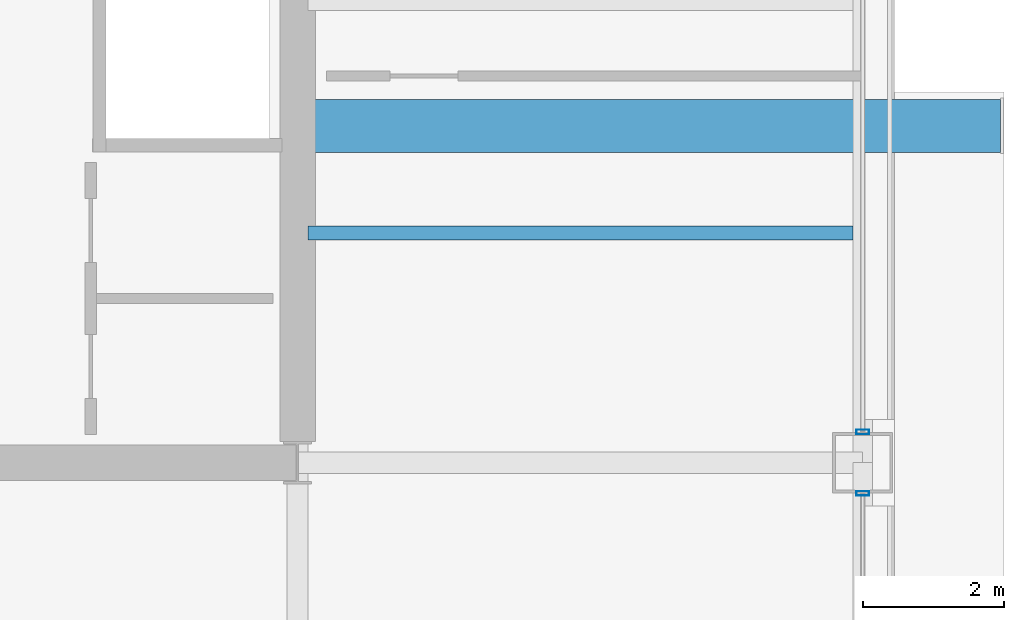
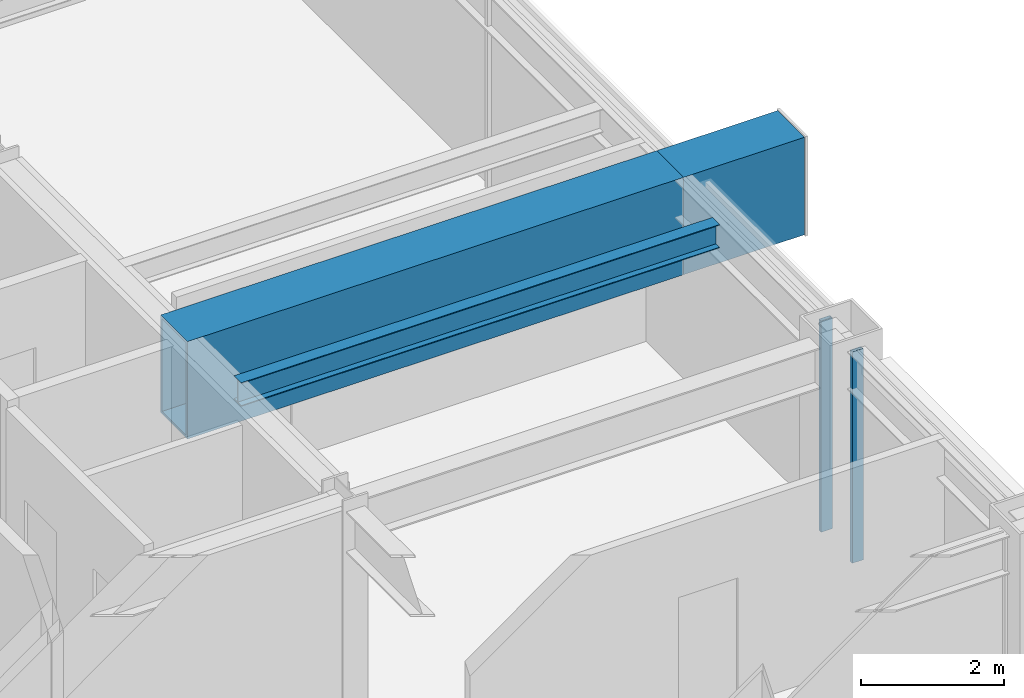
# One storey, part 16 of 34: 3 beams, 2 members, 2 elements without a shape of their own.
"""IFC4 building model written with IfcOpenShell, lengths in metres."""

import ifcopenshell
import ifcopenshell.guid

model = None  # the IFC model being written
_history = None  # IfcOwnerHistory: only IFC2X3 demands one
_inside = {}  # id of a spatial element -> (the spatial element, [elements in it])
_under = {}  # id of a project, library or spatial element -> (it, [spatial elements below it])
_declared = {}  # id of a project -> (the project, [libraries it declares])
_typed = {}  # id of a type object -> (the type object, [elements of that type])
_made_of = {}  # id of a material, layer set ... -> (it, [elements and type objects made of it])


def new_model(schema):
    """Start an empty IFC model of exactly this schema.

    Asked for "IFC4X3", IfcOpenShell would pick the latest addendum, in which some entities
    have other attributes; the version numbers below select the first issue.
    IFC2X3 requires an IfcOwnerHistory on every rooted entity: one is made here for all.
    """
    global model, _history
    if schema == "IFC4X3":
        model = ifcopenshell.file(schema_version=(4, 3, 0, 0))
    else:
        model = ifcopenshell.file(schema=schema)
    _inside.clear()
    _under.clear()
    _declared.clear()
    _typed.clear()
    _made_of.clear()
    _history = None
    if model.schema == "IFC2X3":
        org = make("IfcOrganization", Name="unknown")
        user = make(
            "IfcPersonAndOrganization",
            ThePerson=make("IfcPerson", FamilyName="unknown"),
            TheOrganization=org,
        )
        app = make(
            "IfcApplication",
            ApplicationDeveloper=org,
            Version="unknown",
            ApplicationFullName="unknown",
            ApplicationIdentifier="unknown",
        )
        _history = make(
            "IfcOwnerHistory",
            OwningUser=user,
            OwningApplication=app,
            ChangeAction="ADDED",
            CreationDate=0,
        )
    return model


def make(cls, **values):
    """One entity of the class cls with the attributes given. An attribute that is None is left unset."""
    return model.create_entity(
        cls, **{name: value for name, value in values.items() if value is not None}
    )


def rooted(cls, **values):
    """An entity with a GlobalId (a new one), such as an element, a storey or a relation."""
    return make(cls, GlobalId=ifcopenshell.guid.new(), OwnerHistory=_history, **values)


def si_unit(unit_type, name, prefix=None):
    """IfcSIUnit, for example si_unit("LENGTHUNIT", "METRE", prefix="MILLI")."""
    return make("IfcSIUnit", UnitType=unit_type, Prefix=prefix, Name=name)


def assignment(units):
    """IfcUnitAssignment: the units of a project."""
    return None if units is None else make("IfcUnitAssignment", Units=units)


def point(xyz):
    """IfcCartesianPoint."""
    return None if xyz is None else make("IfcCartesianPoint", Coordinates=xyz)


def direction(xyz):
    """IfcDirection."""
    return None if xyz is None else make("IfcDirection", DirectionRatios=xyz)


def frame(location, z_axis=None, x_axis=None):
    """IfcAxis2Placement3D, a coordinate frame: its origin and axes. An axis left out is left unset."""
    return make(
        "IfcAxis2Placement3D",
        Location=point(location),
        Axis=direction(z_axis),
        RefDirection=direction(x_axis),
    )


def frame_2d(location, x_axis=None):
    """IfcAxis2Placement2D, a coordinate frame in the plane: its origin and x axis."""
    return make(
        "IfcAxis2Placement2D", Location=point(location), RefDirection=direction(x_axis)
    )


def origin():
    """The frame at (0, 0, 0) with its axes left unset."""
    return frame((0.0, 0.0, 0.0))


def origin_2d():
    """The frame at (0, 0) in the plane with its x axis left unset."""
    return frame_2d((0.0, 0.0))


def place(relative_to, where):
    """IfcLocalPlacement: puts the frame where relative to a parent placement (None: the world)."""
    return make(
        "IfcLocalPlacement", PlacementRelTo=relative_to, RelativePlacement=where
    )


def context(
    kind, dimensions, precision=None, world=None, true_north=None, identifier=None
):
    """IfcGeometricRepresentationContext, for example the 3D "Model" context."""
    return make(
        "IfcGeometricRepresentationContext",
        ContextIdentifier=identifier,
        ContextType=kind,
        CoordinateSpaceDimension=dimensions,
        Precision=precision,
        WorldCoordinateSystem=world,
        TrueNorth=true_north,
    )


def subcontext(parent, identifier, kind, view, scale=None):
    """IfcGeometricRepresentationSubContext, for example "Body" below "Model"."""
    return make(
        "IfcGeometricRepresentationSubContext",
        ContextIdentifier=identifier,
        ContextType=kind,
        ParentContext=parent,
        TargetScale=scale,
        TargetView=view,
    )


def project(units=None, contexts=None):
    """IfcProject with its units and contexts."""
    return rooted(
        "IfcProject",
        Name="project",
        RepresentationContexts=contexts,
        UnitsInContext=assignment(units),
    )


def spatial(cls, under=None, at=None, **own):
    """A site, building, storey or space (cls), placed at a placement, below another one or the project."""
    s = rooted(cls, ObjectPlacement=at, **own)
    if under is not None:
        _under.setdefault(under.id(), (under, []))[1].append(s)
    return s


def profile(cls, at=None, kind="AREA", **sizes):
    """A parametric profile (cls). Its sizes go by their IFC names, for example OverallWidth=200.0."""
    return make(cls, ProfileType=kind, Position=at, **sizes)


def hollow_rectangle(**sizes):
    """IfcRectangleHollowProfileDef."""
    return profile("IfcRectangleHollowProfileDef", **sizes)


def i_section(**sizes):
    """IfcIShapeProfileDef."""
    return profile("IfcIShapeProfileDef", **sizes)


def extrude(swept, where, along, depth):
    """IfcExtrudedAreaSolid: the profile swept, set in the frame where, extruded along a direction by depth."""
    return make(
        "IfcExtrudedAreaSolid",
        SweptArea=swept,
        Position=where,
        ExtrudedDirection=direction(along),
        Depth=depth,
    )


def shape(context_of_items, identifier, shape_type, items):
    """IfcShapeRepresentation: the items that make up one representation, for example the "Body"."""
    return make(
        "IfcShapeRepresentation",
        ContextOfItems=context_of_items,
        RepresentationIdentifier=identifier,
        RepresentationType=shape_type,
        Items=items,
    )


def material(Name=None, Category=None):
    """IfcMaterial."""
    return make("IfcMaterial", Name=Name, Category=Category)


def layer(
    of_material, thickness, ventilated=None, Name=None, Category=None, Priority=None
):
    """IfcMaterialLayer: one layer of a wall or slab, of a material (None: an air gap)."""
    return make(
        "IfcMaterialLayer",
        Material=of_material,
        LayerThickness=thickness,
        IsVentilated=ventilated,
        Name=Name,
        Category=Category,
        Priority=Priority,
    )


def layer_set(layers, Name=None):
    """IfcMaterialLayerSet."""
    return make("IfcMaterialLayerSet", MaterialLayers=layers, LayerSetName=Name)


def material_profile(
    of_material, cross_section, Name=None, Category=None, Priority=None
):
    """IfcMaterialProfile: a cross section and its material."""
    return make(
        "IfcMaterialProfile",
        Name=Name,
        Material=of_material,
        Profile=cross_section,
        Priority=Priority,
        Category=Category,
    )


def profile_set(profiles, Name=None, composite=None):
    """IfcMaterialProfileSet."""
    return make(
        "IfcMaterialProfileSet",
        Name=Name,
        MaterialProfiles=profiles,
        CompositeProfile=composite,
    )


def made_of(thing, what):
    """Note that an element or type object is made of a material, layer set ...; save() writes the relation."""
    if what is not None:
        _made_of.setdefault(what.id(), (what, []))[1].append(thing)
    return thing


def type_object(cls, material=None, **own):
    """A type object (cls), such as IfcWallType, which elements share."""
    return made_of(rooted(cls, **own), material)


def element(
    cls,
    number,
    at=None,
    inside=None,
    cuts=None,
    type_object=None,
    material=None,
    context=None,
    identifier="Body",
    shape_type=None,
    held_by="IfcProductDefinitionShape",
    body=None,
    shapes=None,
    **own,
):
    """One element of the class cls, such as IfcWall. Its Tag is "e" and its number.

    at: its placement. inside: the storey or other place that contains it. cuts: it is an
    opening in that element (IfcRelVoidsElement). A single representation is given by context,
    identifier, shape_type and body (its items); several are given by shapes. held_by: the class
    of the entity that holds the representations. save() writes the other relations.
    """
    e = rooted(cls, Tag="e%d" % number, ObjectPlacement=at, **own)
    if body is not None:
        shapes = [shape(context, identifier, shape_type, body)]
    if shapes is not None:
        e.Representation = make(held_by, Representations=shapes)
    if inside is not None:
        _inside.setdefault(inside.id(), (inside, []))[1].append(e)
    if cuts is not None:
        rooted(
            "IfcRelVoidsElement", RelatingBuildingElement=cuts, RelatedOpeningElement=e
        )
    if type_object is not None:
        _typed.setdefault(type_object.id(), (type_object, []))[1].append(e)
    return made_of(e, material)


def aggregate(whole, parts):
    """IfcRelAggregates: a whole, such as a stair, and the parts it consists of."""
    return rooted("IfcRelAggregates", RelatingObject=whole, RelatedObjects=parts)


def save(model, path):
    """Write the relations noted so far, then the file.

    IfcRelAggregates (storeys below a building ...), IfcRelContainedInSpatialStructure (elements
    in a storey), IfcRelDefinesByType, IfcRelAssociatesMaterial and IfcRelDeclares: one each for
    every whole, place, type object, material and project.
    """
    for whole, parts in _under.values():
        aggregate(whole, parts)
    for where, things in _inside.values():
        rooted(
            "IfcRelContainedInSpatialStructure",
            RelatedElements=things,
            RelatingStructure=where,
        )
    for kind, things in _typed.values():
        rooted("IfcRelDefinesByType", RelatedObjects=things, RelatingType=kind)
    for what, things in _made_of.values():
        rooted("IfcRelAssociatesMaterial", RelatedObjects=things, RelatingMaterial=what)
    for by, libraries in _declared.values():
        rooted("IfcRelDeclares", RelatingContext=by, RelatedDefinitions=libraries)
    model.write(path)


model = new_model("IFC4")

# Units and contexts
model_context = context("Model", 3, precision=1e-05, world=origin(), true_north=direction((0.0, 1.0)))
body_context = subcontext(model_context, "Body", "Model", "MODEL_VIEW")
ifc_project = project(units=[si_unit("LENGTHUNIT", "METRE"), si_unit("AREAUNIT", "SQUARE_METRE"), si_unit("VOLUMEUNIT", "CUBIC_METRE"), si_unit("PLANEANGLEUNIT", "RADIAN"), si_unit("MASSUNIT", "GRAM", prefix="KILO")], contexts=[model_context])

# Site, building, storey
site_placement = place(None, origin())
site = spatial("IfcSite", under=ifc_project, at=site_placement, CompositionType="ELEMENT")
building_placement = place(site_placement, origin())
building = spatial("IfcBuilding", under=site, at=building_placement, Name="Brelmoor Portico Tower", CompositionType="ELEMENT")
storey_placement = place(building_placement, frame((0.0, 0.0, 117.0)))
storey = spatial("IfcBuildingStorey", under=building, at=storey_placement, Name="L30", CompositionType="ELEMENT", Elevation=117.0)

# Beams
ifc_material_1 = material(Name="Steel Q355B", Category="steel")
ifc_material_profile_1 = material_profile(ifc_material_1, i_section(OverallWidth=0.199951171875, OverallDepth=0.39990234375, WebThickness=0.008056640625, FlangeThickness=0.012939453125, at=origin_2d()), Name="HN 400x200x8x13")
ifc_profile_set_1 = profile_set([ifc_material_profile_1], Name="Steel Q355B")
beam_type_1 = type_object("IfcBeamType", Name="BM-JS-400", PredefinedType="JOIST", material=ifc_profile_set_1)
beam_1_placement = place(storey_placement, frame((14.699951171875, -6.5, 3.199951171875), z_axis=(1.0, 0.0, 0.0), x_axis=(0.0, 1.0, 0.0)))
element("IfcBeam", 1, at=beam_1_placement, inside=storey, type_object=beam_type_1, Name="L30 Secondary Wing Joist JS-E09", PredefinedType="JOIST", context=body_context, shape_type="SweptSolid", body=[
    extrude(i_section(OverallWidth=0.199951171875, OverallDepth=0.39990234375, WebThickness=0.008056640625, FlangeThickness=0.012939453125, at=origin_2d()), origin(), (0.0, 0.0, 1.0), 7.7099609375),
])
ifc_material_profile_2 = material_profile(ifc_material_1, hollow_rectangle(XDim=0.75, YDim=1.659912109375, WallThickness=0.0419921875, at=origin_2d()), Name="BOX 750x1660x42")
ifc_profile_set_2 = profile_set([ifc_material_profile_2], Name="Steel Q355B")
beam_type_2 = type_object("IfcBeamType", Name="BM-PF-CANT", PredefinedType="BEAM", material=ifc_profile_set_2)
beam_2_placement = place(storey_placement, frame((22.550048828125, -4.97998046875, 2.570068359375), z_axis=(1.0, 0.0, 0.0), x_axis=(0.0, 1.0, 0.0)))
element("IfcBeam", 2, at=beam_2_placement, inside=storey, type_object=beam_type_2, Name="L30 Picture-Frame Outrigger Transfer Cantilever PFB-03", PredefinedType="BEAM", context=body_context, shape_type="SweptSolid", body=[
    extrude(hollow_rectangle(XDim=0.75, YDim=1.659912109375, WallThickness=0.0419921875, at=origin_2d()), origin(), (0.0, 0.0, 1.0), 1.949951171875),
])
ifc_material_profile_3 = material_profile(ifc_material_1, hollow_rectangle(XDim=0.75, YDim=1.659912109375, WallThickness=0.0419921875, at=origin_2d()), Name="BOX 750x1660x42")
ifc_profile_set_3 = profile_set([ifc_material_profile_3], Name="Steel Q355B")
beam_type_3 = type_object("IfcBeamType", Name="BM-TG-Z2", PredefinedType="BEAM", material=ifc_profile_set_3)
beam_3_placement = place(storey_placement, frame((14.550048828125, -4.97998046875, 2.570068359375), z_axis=(1.0, 0.0, 0.0), x_axis=(0.0, 1.0, 0.0)))
element("IfcBeam", 3, at=beam_3_placement, inside=storey, type_object=beam_type_3, Name="L30 Picture-Frame Backspan Transfer Girder PFBS-03", PredefinedType="BEAM", context=body_context, shape_type="SweptSolid", body=[
    extrude(hollow_rectangle(XDim=0.75, YDim=1.659912109375, WallThickness=0.0419921875, at=origin_2d()), origin(), (0.0, 0.0, 1.0), 8.0),
])

# Curtain wall, member
ifc_material_2 = material(Name="Anodised Aluminium Alloy 6063-T6", Category="aluminium")
ifc_layer_1 = layer(ifc_material_2, 0.179931640625)
ifc_layer_set_1 = layer_set([ifc_layer_1], Name="Anodised Aluminium Alloy 6063-T6")
curtain_wall_type_1 = type_object("IfcCurtainWallType", Name="CW-TOWER-Z2", PredefinedType="NOTDEFINED", material=ifc_layer_set_1)
curtain_wall_1_placement = place(storey_placement, origin())
curtain_wall_1 = element("IfcCurtainWall", 4, at=curtain_wall_1_placement, inside=storey, type_object=curtain_wall_type_1, Name="L30 Curtain Wall CW-L30-04-1", PredefinedType="NOTDEFINED")
ifc_material_profile_4 = material_profile(ifc_material_2, hollow_rectangle(XDim=0.06494140625, YDim=0.179931640625, WallThickness=0.00390625, at=origin_2d()), Name="ALU MULLION 65x180")
ifc_profile_set_4 = profile_set([ifc_material_profile_4], Name="Anodised Aluminium Alloy 6063-T6")
member_type = type_object("IfcMemberType", Name="MB-CW-MULL-180", PredefinedType="MULLION", material=ifc_profile_set_4)
member_1_placement = place(storey_placement, frame((22.550048828125, -10.18505859375, -0.199951171875), z_axis=(0.0, 0.0, 1.0), x_axis=(0.0, 1.0, 0.0)))
member_1 = element("IfcMember", 5, at=member_1_placement, type_object=member_type, Name="CW-L30-04-1 Mullion 01", PredefinedType="MULLION", context=body_context, shape_type="SweptSolid", body=[
    extrude(hollow_rectangle(XDim=0.06494140625, YDim=0.179931640625, WallThickness=0.00390625, at=origin_2d()), origin(), (0.0, 0.0, 1.0), 3.599853515625),
])
aggregate(curtain_wall_1, [member_1])

ifc_layer_2 = layer(ifc_material_2, 0.179931640625)
ifc_layer_set_2 = layer_set([ifc_layer_2], Name="Anodised Aluminium Alloy 6063-T6")
curtain_wall_type_2 = type_object("IfcCurtainWallType", Name="CW-TOWER-Z2-XB", PredefinedType="NOTDEFINED", material=ifc_layer_set_2)
curtain_wall_2_placement = place(storey_placement, origin())
curtain_wall_2 = element("IfcCurtainWall", 6, at=curtain_wall_2_placement, inside=storey, type_object=curtain_wall_type_2, Name="L30 Curtain Wall CW-L30-04-2", PredefinedType="NOTDEFINED")
member_2_placement = place(storey_placement, frame((22.550048828125, -9.31494140625, -0.199951171875), z_axis=(0.0, 0.0, 1.0), x_axis=(0.0, 1.0, 0.0)))
member_2 = element("IfcMember", 7, at=member_2_placement, type_object=member_type, Name="CW-L30-04-2 Mullion 00", PredefinedType="MULLION", context=body_context, shape_type="SweptSolid", body=[
    extrude(hollow_rectangle(XDim=0.06494140625, YDim=0.179931640625, WallThickness=0.00390625, at=origin_2d()), origin(), (0.0, 0.0, 1.0), 3.599853515625),
])
aggregate(curtain_wall_2, [member_2])

save(model, "model.ifc")
